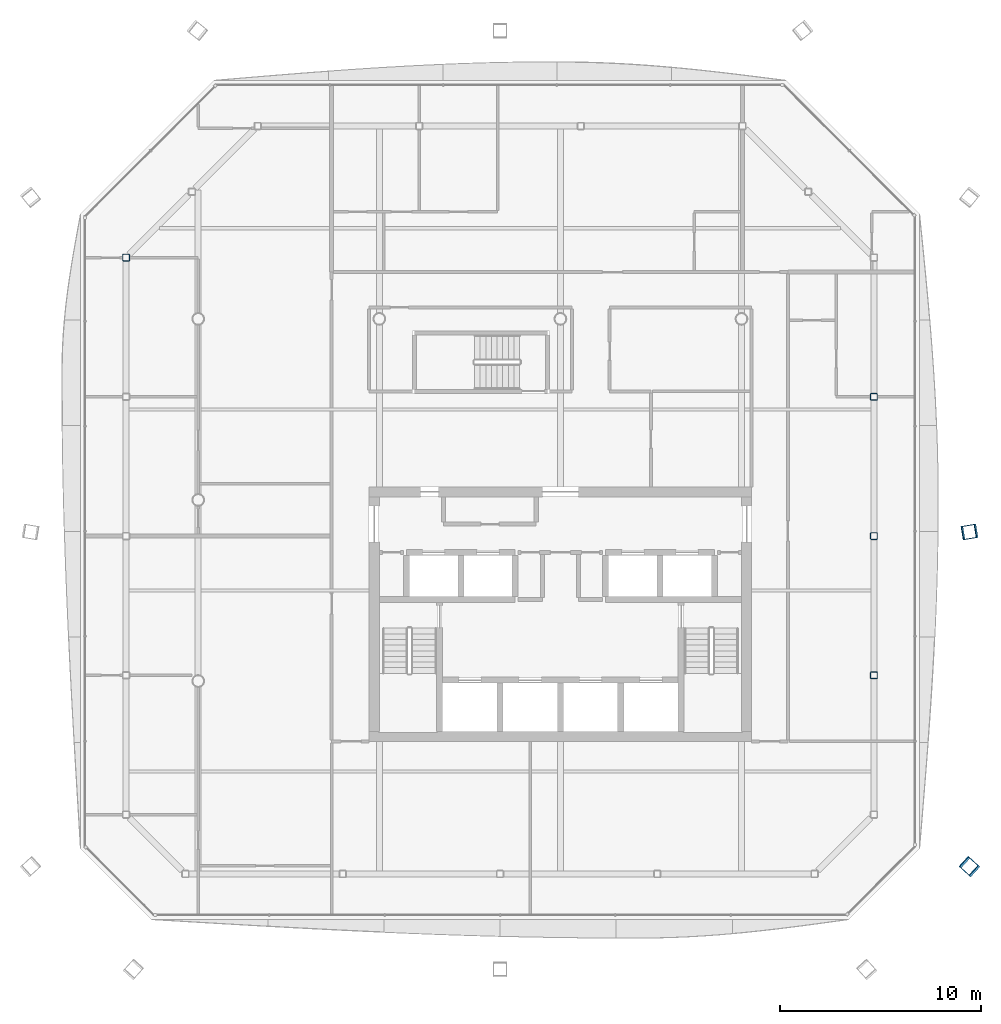
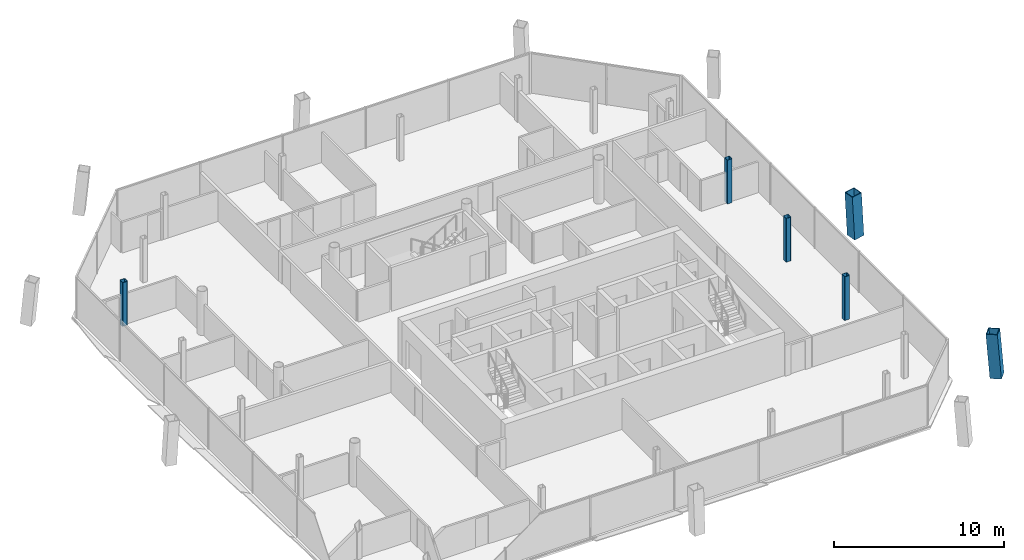
# One storey, part 2 of 20: 6 columns.
"""IFC4 building model written with IfcOpenShell, lengths in metres."""

from ifc_helpers import new_model, si_unit, direction, frame, origin, origin_2d, place, context, subcontext, project, spatial, hollow_rectangle, extrude, material, material_profile, profile_set, type_object, element, save


model = new_model("IFC4")

# Units and contexts
model_context = context("Model", 3, precision=1e-05, world=origin(), true_north=direction((0.0, 1.0)))
body_context = subcontext(model_context, "Body", "Model", "MODEL_VIEW")
ifc_project = project(units=[si_unit("LENGTHUNIT", "METRE"), si_unit("AREAUNIT", "SQUARE_METRE"), si_unit("VOLUMEUNIT", "CUBIC_METRE"), si_unit("PLANEANGLEUNIT", "RADIAN"), si_unit("MASSUNIT", "GRAM", prefix="KILO")], contexts=[model_context])

# Site, building, storey
site_placement = place(None, origin())
site = spatial("IfcSite", under=ifc_project, at=site_placement, CompositionType="ELEMENT")
building_placement = place(site_placement, origin())
building = spatial("IfcBuilding", under=site, at=building_placement, Name="Tskaro Facet Tower", CompositionType="ELEMENT")
storey_placement = place(building_placement, frame((0.0, 0.0, 187.949951171875)))
storey = spatial("IfcBuildingStorey", under=building, at=storey_placement, Name="L47", CompositionType="ELEMENT", Elevation=187.949951171875)

# Columns
ifc_material_1 = material(Name="Steel S460M", Category="steel")
ifc_material_profile_1 = material_profile(ifc_material_1, hollow_rectangle(XDim=0.699951171875, YDim=0.699951171875, WallThickness=0.044921875, at=origin_2d()), Name="BOX 700x700x45")
ifc_profile_set_1 = profile_set([ifc_material_profile_1], Name="Steel S460M")
column_type_1 = type_object("IfcColumnType", Name="BOX 700x700x45 mega column", PredefinedType="COLUMN", material=ifc_profile_set_1)
column_1_placement = place(storey_placement, frame((20.363037109375, -18.2509765625, 0.0), z_axis=(-0.057639900467, 0.052540391847, 0.996953935294), x_axis=(-0.673658387955, -0.739042878551, 0.0)))
element("IfcColumn", 1, at=column_1_placement, inside=storey, type_object=column_type_1, Name="BOX 700x700x45 MC04/4", PredefinedType="COLUMN", context=body_context, shape_type="SweptSolid", body=[
    extrude(hollow_rectangle(XDim=0.699951171875, YDim=0.699951171875, WallThickness=0.044921875, at=origin_2d()), origin(), (0.0, 0.0, 1.0), 3.15966796875),
])
column_2_placement = place(storey_placement, frame((20.363037109375, -1.583984375, 0.0), z_axis=(-0.057717009198, -0.00951634334, 0.998287626919), x_axis=(0.162682900473, -0.986678404493, 0.0)))
element("IfcColumn", 2, at=column_2_placement, inside=storey, type_object=column_type_1, Name="BOX 700x700x45 MC05/4", PredefinedType="COLUMN", context=body_context, shape_type="SweptSolid", body=[
    extrude(hollow_rectangle(XDim=0.699951171875, YDim=0.699951171875, WallThickness=0.044921875, at=origin_2d()), origin(), (0.0, 0.0, 1.0), 3.155517578125),
])
ifc_material_2 = material(Name="Steel S355J2H", Category="steel")
ifc_material_profile_2 = material_profile(ifc_material_2, hollow_rectangle(XDim=0.35009765625, YDim=0.35009765625, WallThickness=0.02001953125, InnerFilletRadius=0.030029296875, OuterFilletRadius=0.050048828125, at=origin_2d()), Name="SHS 350x350x20")
ifc_profile_set_2 = profile_set([ifc_material_profile_2], Name="Steel S355J2H")
column_type_2 = type_object("IfcColumnType", Name="SHS 350x350x20 ring column", PredefinedType="COLUMN", material=ifc_profile_set_2)
for number, where, z_axis, x_axis, name in (
    (3, (15.5830078125, -8.712890625, 0.0), (0.0, 0.0, 1.0), (1.0, 0.0, 0.0), "SHS 350x350x20 RE-2/4"),
    (4, (15.5830078125, -1.79296875, 0.0), (0.0, 0.0, 1.0), (1.0, 0.0, 0.0), "SHS 350x350x20 RE-3/4"),
    (5, (15.5830078125, 5.1259765625, 0.0), (0.0, 0.0, 1.0), (1.0, 0.0, 0.0), "SHS 350x350x20 RE-4/4"),
    (6, (-21.5830078125, 12.0458984375, 0.0), (0.0, 0.0, 1.0), (1.0, 0.0, 0.0), "SHS 350x350x20 RW-1/4"),
):
    element("IfcColumn", number, at=place(storey_placement, frame(where, z_axis=z_axis, x_axis=x_axis)), inside=storey, type_object=column_type_2, Name=name, PredefinedType="COLUMN", context=body_context, shape_type="SweptSolid", body=[
        extrude(hollow_rectangle(XDim=0.35009765625, YDim=0.35009765625, WallThickness=0.02001953125, InnerFilletRadius=0.030029296875, OuterFilletRadius=0.050048828125, at=origin_2d()), origin(), (0.0, 0.0, 1.0), 3.150146484375),
    ])

save(model, "model.ifc")
